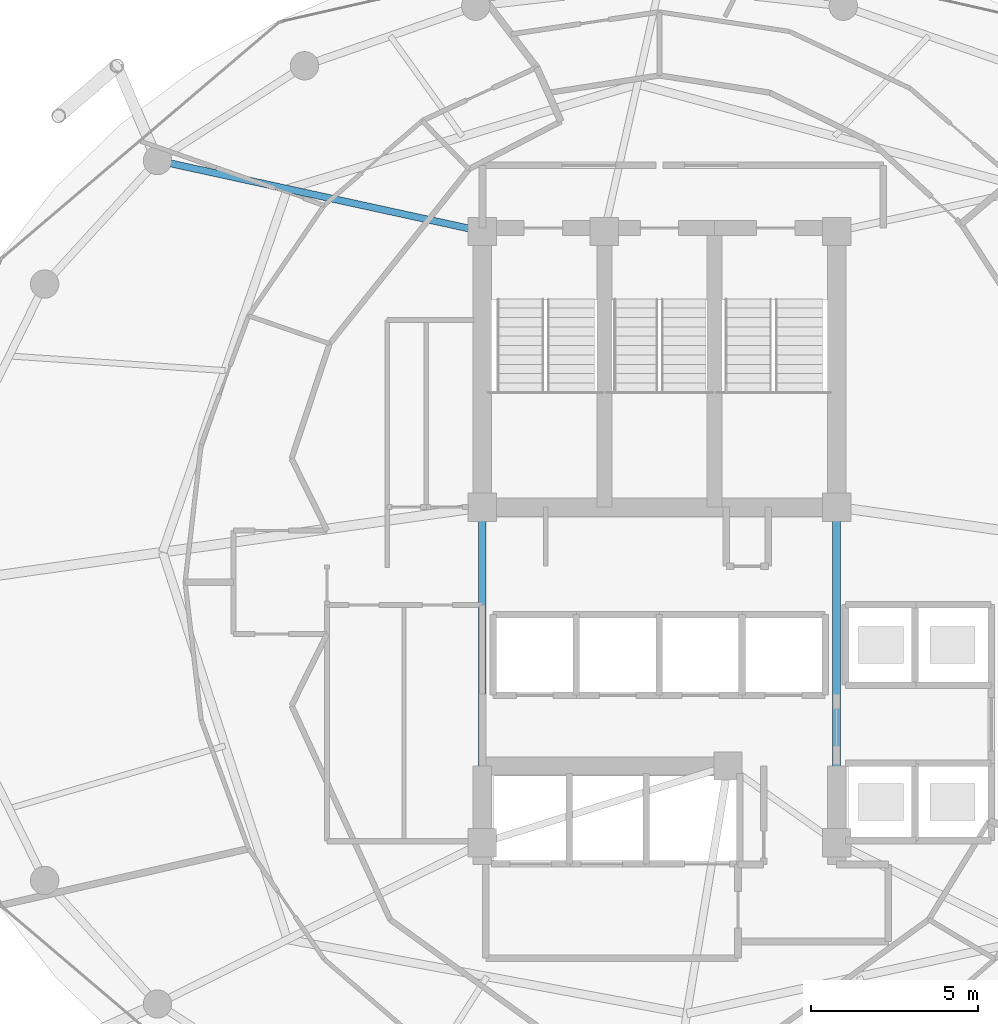
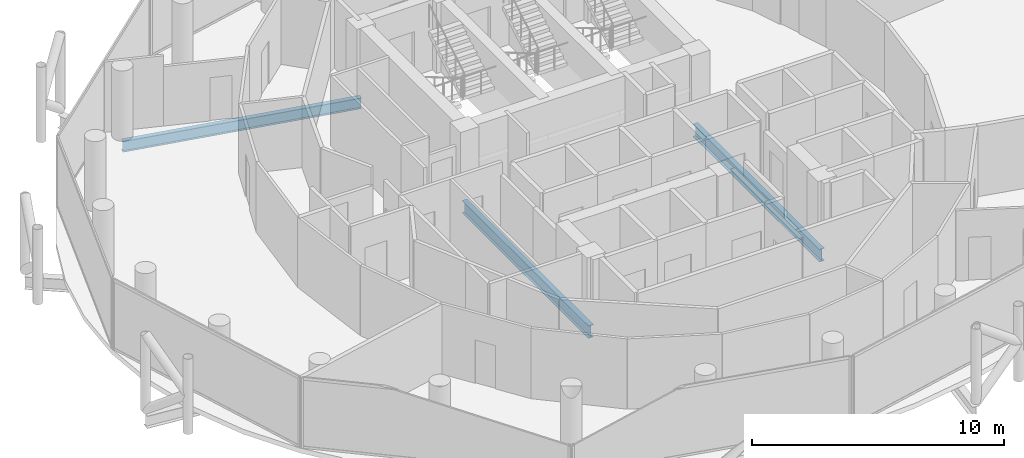
# One storey, part 10 of 27: 3 beams.
"""IFC4 building model written with IfcOpenShell, lengths in metres."""

from ifc_helpers import new_model, si_unit, direction, frame, origin, origin_2d, place, context, subcontext, project, spatial, i_section, extrude, material, material_profile, profile_set, type_object, element, save


model = new_model("IFC4")

# Units and contexts
model_context = context("Model", 3, precision=1e-05, world=origin(), true_north=direction((0.0, 1.0)))
body_context = subcontext(model_context, "Body", "Model", "MODEL_VIEW")
ifc_project = project(units=[si_unit("LENGTHUNIT", "METRE"), si_unit("AREAUNIT", "SQUARE_METRE"), si_unit("VOLUMEUNIT", "CUBIC_METRE"), si_unit("PLANEANGLEUNIT", "RADIAN"), si_unit("MASSUNIT", "GRAM", prefix="KILO")], contexts=[model_context])

# Site, building, storey
site_placement = place(None, origin())
site = spatial("IfcSite", under=ifc_project, at=site_placement, CompositionType="ELEMENT")
building_placement = place(site_placement, origin())
building = spatial("IfcBuilding", under=site, at=building_placement, Name="Nuhasar Tower", CompositionType="ELEMENT")
storey_placement = place(building_placement, frame((0.0, 0.0, 208.14990234375)))
storey = spatial("IfcBuildingStorey", under=building, at=storey_placement, Name="L50", CompositionType="ELEMENT", Elevation=208.14990234375)

# Beams
ifc_material = material(Name="Steel S355", Category="steel")
ifc_material_profile_1 = material_profile(ifc_material, i_section(OverallWidth=0.208984375, OverallDepth=0.528076171875, WebThickness=0.009521484375, FlangeThickness=0.01318359375, at=origin_2d()), Name="W21X55")
ifc_profile_set_1 = profile_set([ifc_material_profile_1], Name="Steel S355")
beam_type_1 = type_object("IfcBeamType", Name="BM-RAD-W21X55", PredefinedType="BEAM", material=ifc_profile_set_1)
beam_placement = place(storey_placement, frame((33.699951171875, 37.300048828125, -0.50390625), z_axis=(-0.977014275474, 0.213173885644, 0.0), x_axis=(-0.213173885644, -0.977014275474, 0.0)))
element("IfcBeam", 1, at=beam_placement, inside=storey, type_object=beam_type_1, Name="L50 Radial Floor Girder 07", PredefinedType="BEAM", context=body_context, shape_type="SweptSolid", body=[
    extrude(i_section(OverallWidth=0.208984375, OverallDepth=0.528076171875, WebThickness=0.009521484375, FlangeThickness=0.01318359375, at=origin_2d()), origin(), (0.0, 0.0, 1.0), 9.95458984375),
])
ifc_material_profile_2 = material_profile(ifc_material, i_section(OverallWidth=0.22900390625, OverallDepth=0.612060546875, WebThickness=0.011962890625, FlangeThickness=0.01953125, at=origin_2d()), Name="W24X84")
ifc_profile_set_2 = profile_set([ifc_material_profile_2], Name="Steel S355")
beam_type_2 = type_object("IfcBeamType", Name="BM-RAD-W24X84", PredefinedType="BEAM", material=ifc_profile_set_2)
for number, where, z_axis, x_axis, name in (
    (2, (44.300048828125, 19.0, -0.5458984375), (0.0, 1.0, 0.0), (-1.0, 0.0, 0.0), "L50 Core Ring Girder 3"),
    (3, (33.699951171875, 29.050048828125, -0.5458984375), (0.0, -1.0, 0.0), (1.0, 0.0, 0.0), "L50 Core Ring Girder 8"),
):
    element("IfcBeam", number, at=place(storey_placement, frame(where, z_axis=z_axis, x_axis=x_axis)), inside=storey, type_object=beam_type_2, Name=name, PredefinedType="BEAM", context=body_context, shape_type="SweptSolid", body=[
        extrude(i_section(OverallWidth=0.22900390625, OverallDepth=0.612060546875, WebThickness=0.011962890625, FlangeThickness=0.01953125, at=origin_2d()), origin(), (0.0, 0.0, 1.0), 10.050048828125),
    ])

save(model, "model.ifc")
